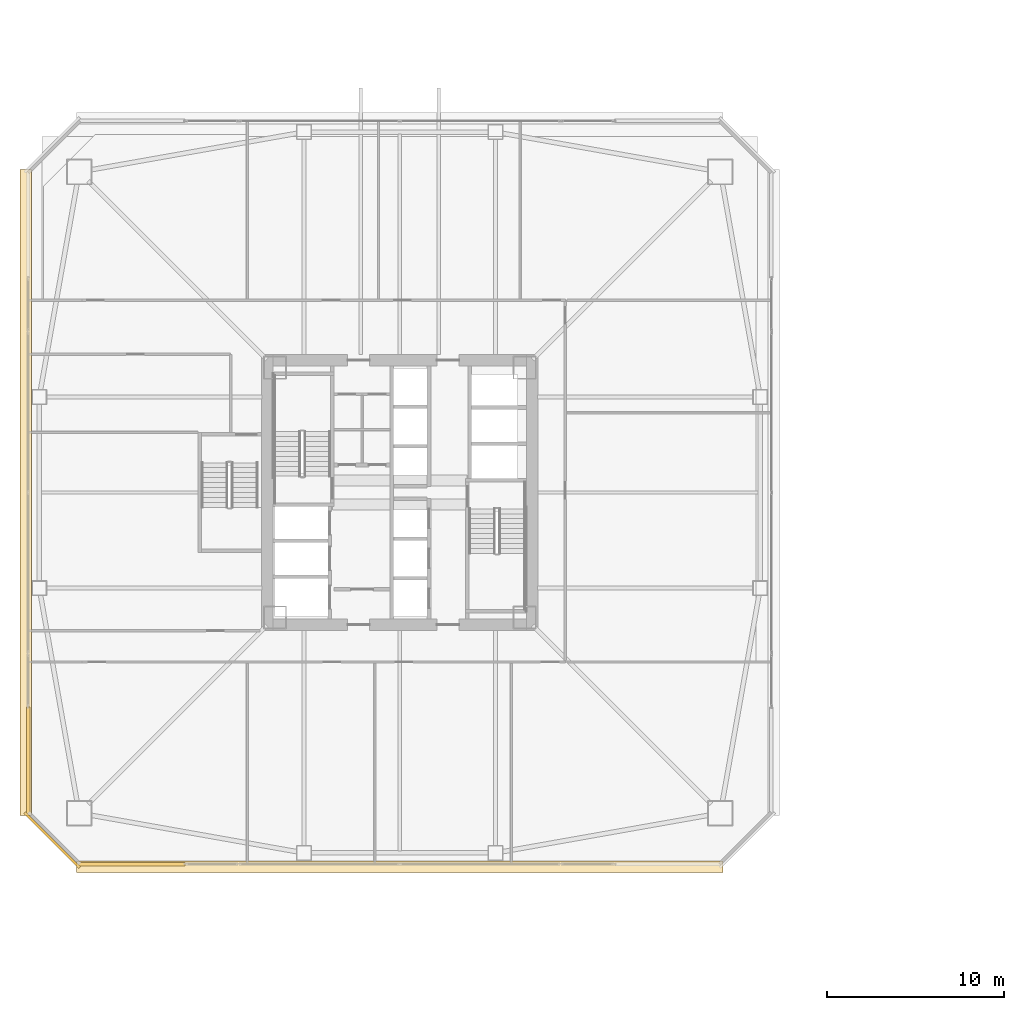
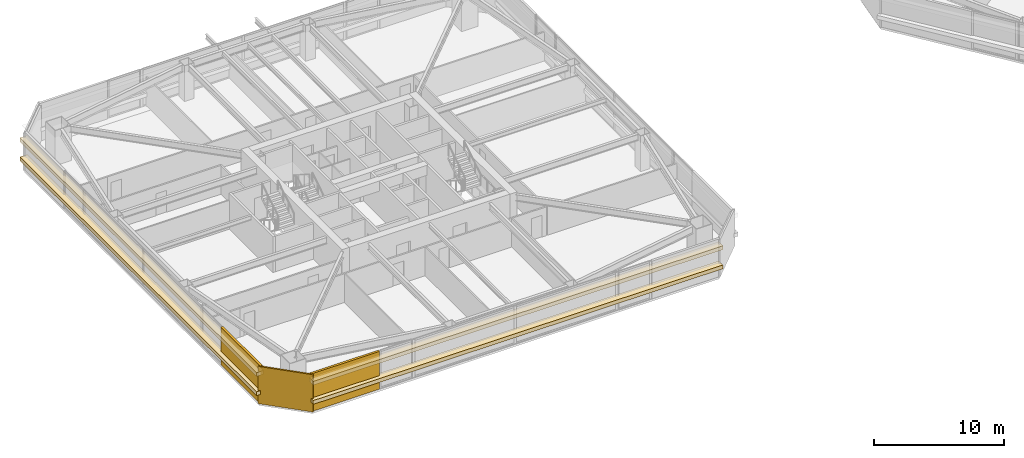
# One storey, part 38 of 44: 7 coverings.
"""IFC4 building model written with IfcOpenShell, lengths in metres."""

from ifc_helpers import new_model, si_unit, direction, frame, origin, origin_2d, place, context, subcontext, project, spatial, rectangle, extrude, material, layer, layer_set, type_object, element, save


model = new_model("IFC4")

# Units and contexts
model_context = context("Model", 3, precision=1e-05, world=origin(), true_north=direction((0.0, 1.0)))
body_context = subcontext(model_context, "Body", "Model", "MODEL_VIEW")
ifc_project = project(units=[si_unit("LENGTHUNIT", "METRE"), si_unit("AREAUNIT", "SQUARE_METRE"), si_unit("VOLUMEUNIT", "CUBIC_METRE"), si_unit("PLANEANGLEUNIT", "RADIAN"), si_unit("MASSUNIT", "GRAM", prefix="KILO")], contexts=[model_context])

# Site, building, storey
site_placement = place(None, origin())
site = spatial("IfcSite", under=ifc_project, at=site_placement, CompositionType="ELEMENT")
building_placement = place(site_placement, origin())
building = spatial("IfcBuilding", under=site, at=building_placement, Name="Tashvorn Skyway Center", CompositionType="ELEMENT")
storey_placement = place(building_placement, frame((0.0, 0.0, 74.300048828125)))
storey = spatial("IfcBuildingStorey", under=building, at=storey_placement, Name="L19", CompositionType="ELEMENT", Elevation=74.300048828125)

# Coverings
ifc_material_1 = material(Name="Precast concrete C40/50", Category="concrete")
ifc_layer_1 = layer(ifc_material_1, 0.199951171875)
ifc_layer_set_1 = layer_set([ifc_layer_1], Name="Precast concrete C40/50")
covering_type_1 = type_object("IfcCoveringType", Name="COV-BRACE-CLAD", PredefinedType="CLADDING", material=ifc_layer_set_1)
for number, where, z_axis, x_axis, name in (
    (1, (26.85009765625, 11.02001953125, 0.0), (0.0, 0.0, 1.0), (-1.0, 0.0, 0.0), "Tower 1 L19 South Unitised Curtain Wall Mega-Brace Cladding Band 2"),
    (2, (21.02001953125, 16.85009765625, 0.0), (0.0, 0.0, 1.0), (0.0, 1.0, 0.0), "Tower 1 L19 West Unitised Curtain Wall Mega-Brace Cladding Band 1"),
):
    element("IfcCovering", number, at=place(storey_placement, frame(where, z_axis=z_axis, x_axis=x_axis)), inside=storey, type_object=covering_type_1, Name=name, PredefinedType="CLADDING", context=body_context, shape_type="SweptSolid", body=[
        extrude(rectangle(XDim=6.06005859375, YDim=0.199951171875, at=origin_2d()), origin(), (0.0, 0.0, 1.0), 3.550048828125),
    ])
ifc_material_2 = material(Name="Perforated ceramic-coated bronze aluminium solar screen", Category="aluminium")
ifc_layer_2 = layer(ifc_material_2, 0.85009765625)
ifc_layer_set_2 = layer_set([ifc_layer_2], Name="Perforated ceramic-coated bronze aluminium solar screen")
covering_type_2 = type_object("IfcCoveringType", Name="COV-SOLAR-BAND", PredefinedType="CLADDING", material=ifc_layer_set_2)
for number, where, z_axis, x_axis, name in (
    (3, (42.0, 10.8798828125, 0.919921875), (0.0, 0.0, 1.0), (-1.0, 0.0, 0.0), "L19 Perforated Ceramic-Metal Solar Screen Louvre Band South 1"),
    (4, (42.0, 10.8798828125, 2.7197265625), (0.0, 0.0, 1.0), (-1.0, 0.0, 0.0), "L19 Perforated Ceramic-Metal Solar Screen Louvre Band South 2"),
    (5, (20.8798828125, 32.0, 0.919921875), (0.0, 0.0, 1.0), (0.0, 1.0, 0.0), "L19 Perforated Ceramic-Metal Solar Screen Louvre Band West 1"),
    (6, (20.8798828125, 32.0, 2.7197265625), (0.0, 0.0, 1.0), (0.0, 1.0, 0.0), "L19 Perforated Ceramic-Metal Solar Screen Louvre Band West 2"),
):
    element("IfcCovering", number, at=place(storey_placement, frame(where, z_axis=z_axis, x_axis=x_axis)), inside=storey, type_object=covering_type_2, Name=name, PredefinedType="CLADDING", context=body_context, shape_type="SweptSolid", body=[
        extrude(rectangle(XDim=36.47998046875, YDim=0.639892578125, at=origin_2d()), origin(), (0.0, 0.0, 1.0), 0.360107421875),
    ])
ifc_layer_3 = layer(ifc_material_1, 0.35009765625)
ifc_layer_set_3 = layer_set([ifc_layer_3], Name="Precast concrete C40/50")
covering_type_3 = type_object("IfcCoveringType", Name="COV-STONE-TRIM", PredefinedType="CLADDING", material=ifc_layer_set_3)
covering_placement = place(storey_placement, frame((22.3798828125, 12.3798828125, 0.02001953125), z_axis=(0.0, 0.0, 1.0), x_axis=(-0.707106781187, 0.707106781187, 0.0)))
element("IfcCovering", 7, at=covering_placement, inside=storey, type_object=covering_type_3, Name="Tower 1 L19 SW Mojave Limestone Corner Quoin", PredefinedType="CLADDING", context=body_context, shape_type="SweptSolid", body=[
    extrude(rectangle(XDim=4.402587890625, YDim=0.139892578125, at=origin_2d()), origin(), (0.0, 0.0, 1.0), 3.510009765625),
])

save(model, "model.ifc")
